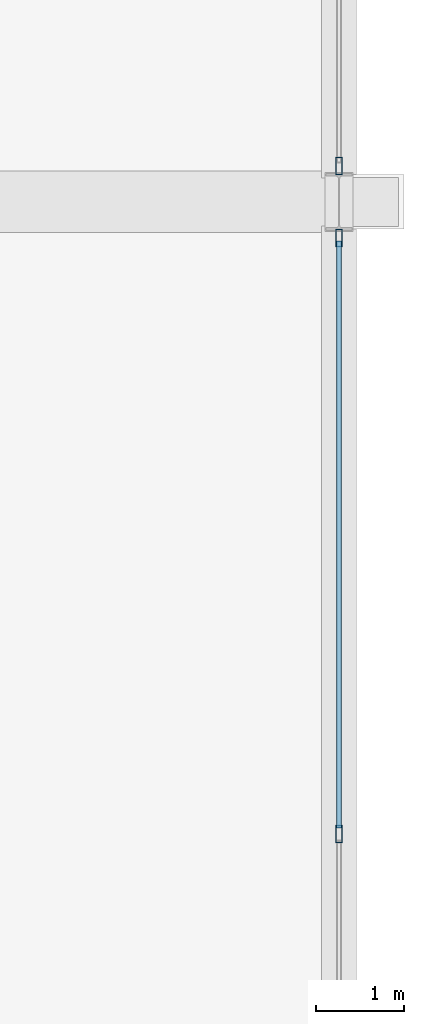
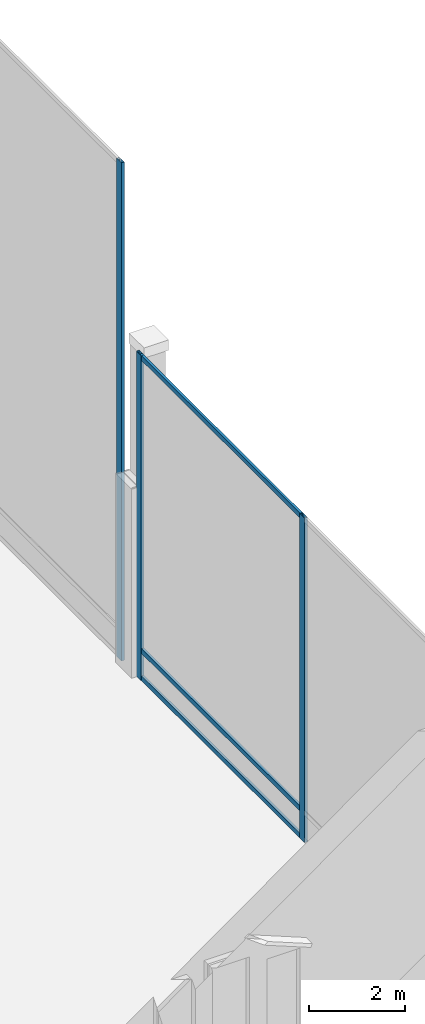
# One storey, part 93 of 193: 6 members, 2 elements without a shape of their own.
"""IFC4 building model written with IfcOpenShell, lengths in metres."""

from ifc_helpers import new_model, si_unit, direction, frame, origin, origin_2d, place, context, subcontext, project, spatial, hollow_rectangle, extrude, material, material_profile, profile_set, type_object, element, aggregate, save


model = new_model("IFC4")

# Units and contexts
model_context = context("Model", 3, precision=1e-05, world=origin(), true_north=direction((0.0, 1.0)))
body_context = subcontext(model_context, "Body", "Model", "MODEL_VIEW")
ifc_project = project(units=[si_unit("LENGTHUNIT", "METRE"), si_unit("AREAUNIT", "SQUARE_METRE"), si_unit("VOLUMEUNIT", "CUBIC_METRE"), si_unit("PLANEANGLEUNIT", "RADIAN"), si_unit("MASSUNIT", "GRAM", prefix="KILO")], contexts=[model_context])

# Site, building, storey
site_placement = place(None, origin())
site = spatial("IfcSite", under=ifc_project, at=site_placement, CompositionType="ELEMENT")
building_placement = place(site_placement, origin())
building = spatial("IfcBuilding", under=site, at=building_placement, Name="Cendralis Lancet Convention Centre", CompositionType="ELEMENT")
storey_placement = place(building_placement, frame((0.0, 0.0, 10.199951171875)))
storey = spatial("IfcBuildingStorey", under=building, at=storey_placement, Name="L02", CompositionType="ELEMENT", Elevation=10.199951171875)

# Curtain wall, members
ifc_material = material(Name="Anodised bronze architectural aluminium", Category="aluminium")
curtain_wall_type = type_object("IfcCurtainWallType", Name="ARC-CW-BL02", PredefinedType="USERDEFINED", material=ifc_material)
curtain_wall_1_placement = place(storey_placement, origin())
curtain_wall_1 = element("IfcCurtainWall", 1, at=curtain_wall_1_placement, inside=storey, type_object=curtain_wall_type, Name="L02 Curtain Wall CW-BL2 #160", ObjectType="CURTAIN WALL", PredefinedType="USERDEFINED")
ifc_material_profile_1 = material_profile(ifc_material, hollow_rectangle(XDim=0.070068359375, YDim=0.199951171875, WallThickness=0.0048828125, at=origin_2d()), Name="AL-MULL 70x200x5.0")
ifc_profile_set_1 = profile_set([ifc_material_profile_1], Name="Anodised bronze architectural aluminium")
member_type_1 = type_object("IfcMemberType", Name="ARC-CW-ML02", PredefinedType="MULLION", material=ifc_profile_set_1)
member_1_placement = place(storey_placement, frame((208.800048828125, 107.590087890625, 0.0), z_axis=(0.0, 0.0, 1.0), x_axis=(1.0, 0.0, 0.0)))
member_1 = element("IfcMember", 2, at=member_1_placement, type_object=member_type_1, Name="Mullion CW2-CW-BL2-L02-160-M0", PredefinedType="MULLION", context=body_context, shape_type="SweptSolid", body=[
    extrude(hollow_rectangle(XDim=0.070068359375, YDim=0.199951171875, WallThickness=0.0048828125, at=origin_2d()), origin(), (0.0, 0.0, 1.0), 8.25),
])
member_2_placement = place(storey_placement, frame((208.800048828125, 100.800048828125, 0.0), z_axis=(0.0, 0.0, 1.0), x_axis=(1.0, 0.0, 0.0)))
member_2 = element("IfcMember", 3, at=member_2_placement, type_object=member_type_1, Name="Mullion CW2-CW-BL2-L02-160-M1", PredefinedType="MULLION", context=body_context, shape_type="SweptSolid", body=[
    extrude(hollow_rectangle(XDim=0.070068359375, YDim=0.199951171875, WallThickness=0.0048828125, at=origin_2d()), origin(), (0.0, 0.0, 1.0), 8.25),
])

# Curtain wall, member
curtain_wall_2_placement = place(storey_placement, origin())
curtain_wall_2 = element("IfcCurtainWall", 4, at=curtain_wall_2_placement, inside=storey, type_object=curtain_wall_type, Name="L02 Curtain Wall CW-BL2 #161", ObjectType="CURTAIN WALL", PredefinedType="USERDEFINED")
member_3_placement = place(storey_placement, frame((208.800048828125, 108.409912109375, 0.0), z_axis=(0.0, 0.0, 1.0), x_axis=(1.0, 0.0, 0.0)))
member_3 = element("IfcMember", 5, at=member_3_placement, type_object=member_type_1, Name="Mullion CW2-CW-BL2-L02-161-M2", PredefinedType="MULLION", context=body_context, shape_type="SweptSolid", body=[
    extrude(hollow_rectangle(XDim=0.070068359375, YDim=0.199951171875, WallThickness=0.0048828125, at=origin_2d()), origin(), (0.0, 0.0, 1.0), 12.650146484375),
])
aggregate(curtain_wall_2, [member_3])

# Member
ifc_material_profile_2 = material_profile(ifc_material, hollow_rectangle(XDim=0.06005859375, YDim=0.1201171875, WallThickness=0.00390625, at=origin_2d()), Name="AL-TRAN 60x120x4.0")
ifc_profile_set_2 = profile_set([ifc_material_profile_2], Name="Anodised bronze architectural aluminium")
member_type_2 = type_object("IfcMemberType", Name="ARC-CW-TR01", PredefinedType="USERDEFINED", material=ifc_profile_set_2)
member_4_placement = place(storey_placement, frame((208.800048828125, 107.554931640625, 0.06005859375), z_axis=(0.0, -1.0, 0.0), x_axis=(1.0, 0.0, 0.0)))
member_4 = element("IfcMember", 6, at=member_4_placement, type_object=member_type_2, Name="Transom CW2-CW-BL2-L02-160-T0BOT", ObjectType="TRANSOM", PredefinedType="USERDEFINED", context=body_context, shape_type="SweptSolid", body=[
    extrude(hollow_rectangle(XDim=0.06005859375, YDim=0.1201171875, WallThickness=0.00390625, at=origin_2d()), origin(), (0.0, 0.0, 1.0), 6.684814453125),
])

member_5_placement = place(storey_placement, frame((208.800048828125, 107.554931640625, 0.75), z_axis=(0.0, -1.0, 0.0), x_axis=(1.0, 0.0, 0.0)))
member_5 = element("IfcMember", 7, at=member_5_placement, type_object=member_type_2, Name="Transom CW2-CW-BL2-L02-160-T0MID", ObjectType="TRANSOM", PredefinedType="USERDEFINED", context=body_context, shape_type="SweptSolid", body=[
    extrude(hollow_rectangle(XDim=0.06005859375, YDim=0.1201171875, WallThickness=0.00390625, at=origin_2d()), origin(), (0.0, 0.0, 1.0), 6.684814453125),
])

member_6_placement = place(storey_placement, frame((208.800048828125, 107.554931640625, 8.18994140625), z_axis=(0.0, -1.0, 0.0), x_axis=(1.0, 0.0, 0.0)))
member_6 = element("IfcMember", 8, at=member_6_placement, type_object=member_type_2, Name="Transom CW2-CW-BL2-L02-160-T0TOP", ObjectType="TRANSOM", PredefinedType="USERDEFINED", context=body_context, shape_type="SweptSolid", body=[
    extrude(hollow_rectangle(XDim=0.06005859375, YDim=0.1201171875, WallThickness=0.00390625, at=origin_2d()), origin(), (0.0, 0.0, 1.0), 6.684814453125),
])

aggregate(curtain_wall_1, [member_1, member_2, member_4, member_5, member_6])

save(model, "model.ifc")
